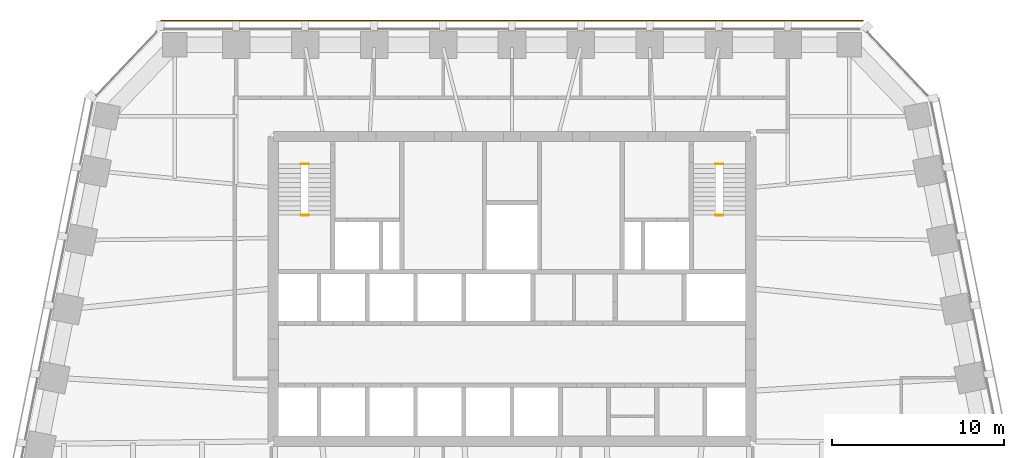
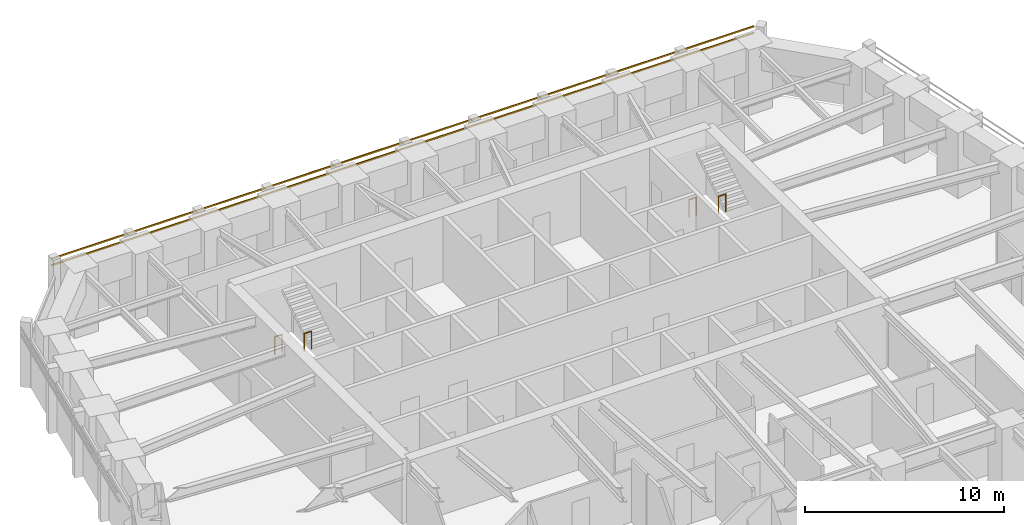
# One storey, part 10 of 10: 4 railings, 2 shading devices.
"""IFC4 building model written with IfcOpenShell, lengths in metres."""

import ifcopenshell
import ifcopenshell.guid

model = None  # the IFC model being written
_history = None  # IfcOwnerHistory: only IFC2X3 demands one
_inside = {}  # id of a spatial element -> (the spatial element, [elements in it])
_under = {}  # id of a project, library or spatial element -> (it, [spatial elements below it])
_declared = {}  # id of a project -> (the project, [libraries it declares])
_typed = {}  # id of a type object -> (the type object, [elements of that type])
_made_of = {}  # id of a material, layer set ... -> (it, [elements and type objects made of it])


def new_model(schema):
    """Start an empty IFC model of exactly this schema.

    Asked for "IFC4X3", IfcOpenShell would pick the latest addendum, in which some entities
    have other attributes; the version numbers below select the first issue.
    IFC2X3 requires an IfcOwnerHistory on every rooted entity: one is made here for all.
    """
    global model, _history
    if schema == "IFC4X3":
        model = ifcopenshell.file(schema_version=(4, 3, 0, 0))
    else:
        model = ifcopenshell.file(schema=schema)
    _inside.clear()
    _under.clear()
    _declared.clear()
    _typed.clear()
    _made_of.clear()
    _history = None
    if model.schema == "IFC2X3":
        org = make("IfcOrganization", Name="unknown")
        user = make(
            "IfcPersonAndOrganization",
            ThePerson=make("IfcPerson", FamilyName="unknown"),
            TheOrganization=org,
        )
        app = make(
            "IfcApplication",
            ApplicationDeveloper=org,
            Version="unknown",
            ApplicationFullName="unknown",
            ApplicationIdentifier="unknown",
        )
        _history = make(
            "IfcOwnerHistory",
            OwningUser=user,
            OwningApplication=app,
            ChangeAction="ADDED",
            CreationDate=0,
        )
    return model


def make(cls, **values):
    """One entity of the class cls with the attributes given. An attribute that is None is left unset."""
    return model.create_entity(
        cls, **{name: value for name, value in values.items() if value is not None}
    )


def rooted(cls, **values):
    """An entity with a GlobalId (a new one), such as an element, a storey or a relation."""
    return make(cls, GlobalId=ifcopenshell.guid.new(), OwnerHistory=_history, **values)


def si_unit(unit_type, name, prefix=None):
    """IfcSIUnit, for example si_unit("LENGTHUNIT", "METRE", prefix="MILLI")."""
    return make("IfcSIUnit", UnitType=unit_type, Prefix=prefix, Name=name)


def assignment(units):
    """IfcUnitAssignment: the units of a project."""
    return None if units is None else make("IfcUnitAssignment", Units=units)


def point(xyz):
    """IfcCartesianPoint."""
    return None if xyz is None else make("IfcCartesianPoint", Coordinates=xyz)


def direction(xyz):
    """IfcDirection."""
    return None if xyz is None else make("IfcDirection", DirectionRatios=xyz)


def frame(location, z_axis=None, x_axis=None):
    """IfcAxis2Placement3D, a coordinate frame: its origin and axes. An axis left out is left unset."""
    return make(
        "IfcAxis2Placement3D",
        Location=point(location),
        Axis=direction(z_axis),
        RefDirection=direction(x_axis),
    )


def frame_2d(location, x_axis=None):
    """IfcAxis2Placement2D, a coordinate frame in the plane: its origin and x axis."""
    return make(
        "IfcAxis2Placement2D", Location=point(location), RefDirection=direction(x_axis)
    )


def origin():
    """The frame at (0, 0, 0) with its axes left unset."""
    return frame((0.0, 0.0, 0.0))


def origin_2d():
    """The frame at (0, 0) in the plane with its x axis left unset."""
    return frame_2d((0.0, 0.0))


def place(relative_to, where):
    """IfcLocalPlacement: puts the frame where relative to a parent placement (None: the world)."""
    return make(
        "IfcLocalPlacement", PlacementRelTo=relative_to, RelativePlacement=where
    )


def context(
    kind, dimensions, precision=None, world=None, true_north=None, identifier=None
):
    """IfcGeometricRepresentationContext, for example the 3D "Model" context."""
    return make(
        "IfcGeometricRepresentationContext",
        ContextIdentifier=identifier,
        ContextType=kind,
        CoordinateSpaceDimension=dimensions,
        Precision=precision,
        WorldCoordinateSystem=world,
        TrueNorth=true_north,
    )


def subcontext(parent, identifier, kind, view, scale=None):
    """IfcGeometricRepresentationSubContext, for example "Body" below "Model"."""
    return make(
        "IfcGeometricRepresentationSubContext",
        ContextIdentifier=identifier,
        ContextType=kind,
        ParentContext=parent,
        TargetScale=scale,
        TargetView=view,
    )


def project(units=None, contexts=None):
    """IfcProject with its units and contexts."""
    return rooted(
        "IfcProject",
        Name="project",
        RepresentationContexts=contexts,
        UnitsInContext=assignment(units),
    )


def spatial(cls, under=None, at=None, **own):
    """A site, building, storey or space (cls), placed at a placement, below another one or the project."""
    s = rooted(cls, ObjectPlacement=at, **own)
    if under is not None:
        _under.setdefault(under.id(), (under, []))[1].append(s)
    return s


def profile(cls, at=None, kind="AREA", **sizes):
    """A parametric profile (cls). Its sizes go by their IFC names, for example OverallWidth=200.0."""
    return make(cls, ProfileType=kind, Position=at, **sizes)


def rectangle(**sizes):
    """IfcRectangleProfileDef."""
    return profile("IfcRectangleProfileDef", **sizes)


def circle(**sizes):
    """IfcCircleProfileDef."""
    return profile("IfcCircleProfileDef", **sizes)


def extrude(swept, where, along, depth):
    """IfcExtrudedAreaSolid: the profile swept, set in the frame where, extruded along a direction by depth."""
    return make(
        "IfcExtrudedAreaSolid",
        SweptArea=swept,
        Position=where,
        ExtrudedDirection=direction(along),
        Depth=depth,
    )


def shape(context_of_items, identifier, shape_type, items):
    """IfcShapeRepresentation: the items that make up one representation, for example the "Body"."""
    return make(
        "IfcShapeRepresentation",
        ContextOfItems=context_of_items,
        RepresentationIdentifier=identifier,
        RepresentationType=shape_type,
        Items=items,
    )


def material(Name=None, Category=None):
    """IfcMaterial."""
    return make("IfcMaterial", Name=Name, Category=Category)


def material_profile(
    of_material, cross_section, Name=None, Category=None, Priority=None
):
    """IfcMaterialProfile: a cross section and its material."""
    return make(
        "IfcMaterialProfile",
        Name=Name,
        Material=of_material,
        Profile=cross_section,
        Priority=Priority,
        Category=Category,
    )


def profile_set(profiles, Name=None, composite=None):
    """IfcMaterialProfileSet."""
    return make(
        "IfcMaterialProfileSet",
        Name=Name,
        MaterialProfiles=profiles,
        CompositeProfile=composite,
    )


def made_of(thing, what):
    """Note that an element or type object is made of a material, layer set ...; save() writes the relation."""
    if what is not None:
        _made_of.setdefault(what.id(), (what, []))[1].append(thing)
    return thing


def type_object(cls, material=None, **own):
    """A type object (cls), such as IfcWallType, which elements share."""
    return made_of(rooted(cls, **own), material)


def element(
    cls,
    number,
    at=None,
    inside=None,
    cuts=None,
    type_object=None,
    material=None,
    context=None,
    identifier="Body",
    shape_type=None,
    held_by="IfcProductDefinitionShape",
    body=None,
    shapes=None,
    **own,
):
    """One element of the class cls, such as IfcWall. Its Tag is "e" and its number.

    at: its placement. inside: the storey or other place that contains it. cuts: it is an
    opening in that element (IfcRelVoidsElement). A single representation is given by context,
    identifier, shape_type and body (its items); several are given by shapes. held_by: the class
    of the entity that holds the representations. save() writes the other relations.
    """
    e = rooted(cls, Tag="e%d" % number, ObjectPlacement=at, **own)
    if body is not None:
        shapes = [shape(context, identifier, shape_type, body)]
    if shapes is not None:
        e.Representation = make(held_by, Representations=shapes)
    if inside is not None:
        _inside.setdefault(inside.id(), (inside, []))[1].append(e)
    if cuts is not None:
        rooted(
            "IfcRelVoidsElement", RelatingBuildingElement=cuts, RelatedOpeningElement=e
        )
    if type_object is not None:
        _typed.setdefault(type_object.id(), (type_object, []))[1].append(e)
    return made_of(e, material)


def aggregate(whole, parts):
    """IfcRelAggregates: a whole, such as a stair, and the parts it consists of."""
    return rooted("IfcRelAggregates", RelatingObject=whole, RelatedObjects=parts)


def save(model, path):
    """Write the relations noted so far, then the file.

    IfcRelAggregates (storeys below a building ...), IfcRelContainedInSpatialStructure (elements
    in a storey), IfcRelDefinesByType, IfcRelAssociatesMaterial and IfcRelDeclares: one each for
    every whole, place, type object, material and project.
    """
    for whole, parts in _under.values():
        aggregate(whole, parts)
    for where, things in _inside.values():
        rooted(
            "IfcRelContainedInSpatialStructure",
            RelatedElements=things,
            RelatingStructure=where,
        )
    for kind, things in _typed.values():
        rooted("IfcRelDefinesByType", RelatedObjects=things, RelatingType=kind)
    for what, things in _made_of.values():
        rooted("IfcRelAssociatesMaterial", RelatedObjects=things, RelatingMaterial=what)
    for by, libraries in _declared.values():
        rooted("IfcRelDeclares", RelatingContext=by, RelatedDefinitions=libraries)
    model.write(path)


model = new_model("IFC4")

# Units and contexts
model_context = context("Model", 3, precision=1e-05, world=origin(), true_north=direction((0.0, 1.0)))
body_context = subcontext(model_context, "Body", "Model", "MODEL_VIEW")
ifc_project = project(units=[si_unit("LENGTHUNIT", "METRE"), si_unit("AREAUNIT", "SQUARE_METRE"), si_unit("VOLUMEUNIT", "CUBIC_METRE"), si_unit("PLANEANGLEUNIT", "RADIAN"), si_unit("MASSUNIT", "GRAM", prefix="KILO")], contexts=[model_context])

# Site, building, storey
site_placement = place(None, origin())
site = spatial("IfcSite", under=ifc_project, at=site_placement, CompositionType="ELEMENT")
building_placement = place(site_placement, origin())
building = spatial("IfcBuilding", under=site, at=building_placement, Name="Isbrekke Arena Tower", CompositionType="ELEMENT")
storey_placement = place(building_placement, frame((0.0, 0.0, 186.0)))
storey = spatial("IfcBuildingStorey", under=building, at=storey_placement, Name="L42", CompositionType="ELEMENT", Elevation=186.0)

# Shading devices
ifc_material_1 = material(Name="Terracotta", Category="masonry")
ifc_material_profile = material_profile(ifc_material_1, rectangle(XDim=0.06005859375, YDim=0.06005859375, at=origin_2d()), Name="BAGUETTE 60X60")
ifc_profile_set = profile_set([ifc_material_profile], Name="Terracotta")
shading_device_type = type_object("IfcShadingDeviceType", Name="BG1 TERRACOTTA BAGUETTE 60 x 60", PredefinedType="USERDEFINED", material=ifc_profile_set)
for number, where, z_axis, x_axis, name in (
    (1, (20.39990234375, 30.580078125, 3.280029296875), (-1.0, 0.0, 0.0), (0.0, -1.0, 0.0), "BG1 terracotta baguette N1 L42"),
    (2, (20.39990234375, 30.580078125, 3.679931640625), (-1.0, 0.0, 0.0), (0.0, -1.0, 0.0), "BG1 terracotta baguette N2 L42"),
):
    element("IfcShadingDevice", number, at=place(storey_placement, frame(where, z_axis=z_axis, x_axis=x_axis)), inside=storey, type_object=shading_device_type, Name=name, ObjectType="TERRACOTTA BAGUETTE", PredefinedType="USERDEFINED", context=body_context, shape_type="SweptSolid", body=[
        extrude(rectangle(XDim=0.06005859375, YDim=0.06005859375, at=origin_2d()), origin(), (0.0, 0.0, 1.0), 40.7998046875),
    ])

# Railings
ifc_material_2 = material(Name="Steel stair guard, vertical bars, steel handrail", Category="steel")
railing_type = type_object("IfcRailingType", Name="GR3 STAIR WELL GUARD 1100", PredefinedType="GUARDRAIL", material=ifc_material_2)
for number, where, name in (
    (3, (-12.25, 22.25, 0.0), "GR3 stair well guard ST1 L42"),
    (4, (-12.25, 19.280029296875, 2.0), "GR3 stair well guard ST1 L42"),
    (5, (11.824951171875, 22.25, 0.0), "GR3 stair well guard ST2 L42"),
    (6, (11.824951171875, 19.280029296875, 2.0), "GR3 stair well guard ST2 L42"),
):
    element("IfcRailing", number, at=place(storey_placement, frame(where)), inside=storey, type_object=railing_type, Name=name, PredefinedType="GUARDRAIL", context=body_context, shape_type="SweptSolid", body=[
        extrude(circle(Radius=0.02392578125, at=origin_2d()), frame((0.0, 0.0, 1.076171875), z_axis=(1.0, 0.0, 0.0), x_axis=(0.0, 1.0, 0.0)), (0.0, 0.0, 1.0), 0.425048828125),
        extrude(circle(Radius=0.02099609375, at=origin_2d()), origin(), (0.0, 0.0, 1.0), 1.052001953125),
        extrude(circle(Radius=0.02099609375, at=origin_2d()), frame((0.425048828125, 0.0, 0.0)), (0.0, 0.0, 1.0), 1.052001953125),
    ])

save(model, "model.ifc")
